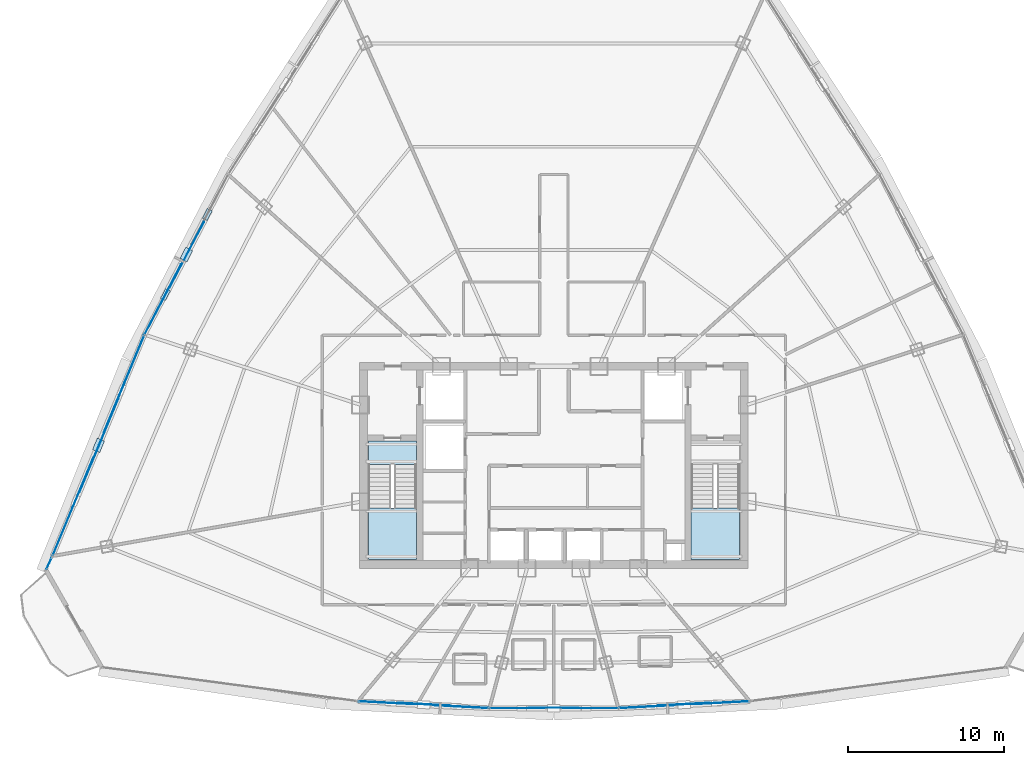
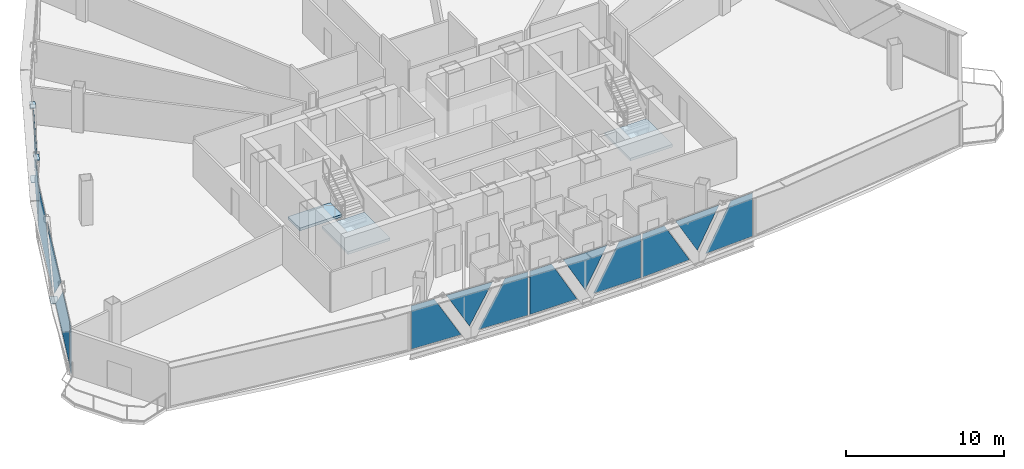
# One storey, part 28 of 37: 19 plates, 3 slabs, 8 elements without a shape of their own.
"""IFC4 building model written with IfcOpenShell, lengths in metres."""

from ifc_helpers import new_model, si_unit, direction, frame, origin, origin_2d, place, context, subcontext, project, spatial, polyline, rectangle, outline, extrude, source, transform, mapped, material, layer, layer_set, type_object, element, aggregate, save


model = new_model("IFC4")

# Units and contexts
model_context = context("Model", 3, precision=1e-05, world=origin(), true_north=direction((0.0, 1.0)))
body_context = subcontext(model_context, "Body", "Model", "MODEL_VIEW")
ifc_project = project(units=[si_unit("LENGTHUNIT", "METRE"), si_unit("AREAUNIT", "SQUARE_METRE"), si_unit("VOLUMEUNIT", "CUBIC_METRE"), si_unit("PLANEANGLEUNIT", "RADIAN"), si_unit("MASSUNIT", "GRAM", prefix="KILO"), si_unit("THERMODYNAMICTEMPERATUREUNIT", "KELVIN"), si_unit("POWERUNIT", "WATT")], contexts=[model_context])

# Site, building, storey
site_placement = place(None, origin())
site = spatial("IfcSite", under=ifc_project, at=site_placement, CompositionType="ELEMENT")
building_placement = place(site_placement, origin())
building = spatial("IfcBuilding", under=site, at=building_placement, Name="Yunzhuo Pagoda Commons", CompositionType="ELEMENT")
storey_placement = place(building_placement, frame((0.0, 0.0, 281.2900390625)))
storey = spatial("IfcBuildingStorey", under=building, at=storey_placement, Name="L70", CompositionType="ELEMENT", Elevation=281.2900390625)

# Curtain wall, plates
ifc_material_1 = material(Name="Anodized aluminium 6063-T6", Category="aluminium")
ifc_layer_1 = layer(ifc_material_1, 0.139892578125)
ifc_layer_set_1 = layer_set([ifc_layer_1], Name="Anodized aluminium 6063-T6")
curtain_wall_type = type_object("IfcCurtainWallType", Name="CW-HI High-Zone Ribbon Curtain Wall", PredefinedType="NOTDEFINED", material=ifc_layer_set_1)
curtain_wall_1_placement = place(storey_placement, origin())
curtain_wall_1 = element("IfcCurtainWall", 1, at=curtain_wall_1_placement, inside=storey, type_object=curtain_wall_type, Name="L70 curtain wall CW-L70-F1B2", PredefinedType="NOTDEFINED")
ifc_material_2 = material(Name="Tempered low-e double glazing", Category="glass")
ifc_layer_2 = layer(ifc_material_2, 0.02587890625)
ifc_layer_set_2 = layer_set([ifc_layer_2], Name="Tempered low-e double glazing")
plate_type_1 = type_object("IfcPlateType", Name="CW-HI-P Low-E Double Glazing 26", PredefinedType="CURTAIN_PANEL", material=ifc_layer_set_2)
plate_1_placement = place(storey_placement, frame((37.263916015625, 18.638427734375, 1.73486328125), z_axis=(-0.052821657014, -0.998603961814, 0.0), x_axis=(0.998603961814, -0.052821657014, 0.0)))
plate_1 = element("IfcPlate", 2, at=plate_1_placement, type_object=plate_type_1, Name="CW panel 1.1 lite 1", PredefinedType="CURTAIN_PANEL", context=body_context, shape_type="SweptSolid", body=[
    extrude(outline(polyline([(-1.774169921875, -1.679931640625), (1.774169921875, -1.679931640625), (-0.1279296875, 1.679931640625), (-1.774169921875, 1.679931640625), (-1.774169921875, -1.679931640625)])), origin(), (0.0, 0.0, 1.0), 0.028076171875),
])
plate_2_placement = place(storey_placement, frame((39.6513671875, 18.542236328125, 1.963134765625), z_axis=(-0.052821657014, -0.998603961814, 0.0), x_axis=(0.998603961814, -0.052821657014, 0.0)))
plate_2 = element("IfcPlate", 3, at=plate_2_placement, type_object=plate_type_1, Name="CW panel 1.1 lite 2", PredefinedType="CURTAIN_PANEL", context=body_context, shape_type="SweptSolid", body=[
    extrude(outline(polyline([(-1.64404296875, 1.451904296875), (0.0, -1.451904296875), (1.64404296875, 1.451904296875), (-1.64404296875, 1.451904296875)])), origin(), (0.0, 0.0, 1.0), 0.028076171875),
])
plate_3_placement = place(storey_placement, frame((42.035888671875, 18.385986328125, 1.73486328125), z_axis=(-0.052821657014, -0.998603961814, 0.0), x_axis=(0.998603961814, -0.052821657014, 0.0)))
plate_3 = element("IfcPlate", 4, at=plate_3_placement, type_object=plate_type_1, Name="CW panel 1.1 lite 3", PredefinedType="CURTAIN_PANEL", context=body_context, shape_type="SweptSolid", body=[
    extrude(outline(polyline([(-1.7744140625, -1.679931640625), (1.7744140625, -1.679931640625), (1.7744140625, 1.679931640625), (0.1279296875, 1.679931640625), (-1.7744140625, -1.679931640625)])), origin(), (0.0, 0.0, 1.0), 0.028076171875),
])
aggregate(curtain_wall_1, [plate_1, plate_2, plate_3])

curtain_wall_2_placement = place(storey_placement, origin())
curtain_wall_2 = element("IfcCurtainWall", 5, at=curtain_wall_2_placement, inside=storey, type_object=curtain_wall_type, Name="L70 curtain wall CW-L70-F1B3", PredefinedType="NOTDEFINED")
plate_4_placement = place(storey_placement, frame((45.658935546875, 18.2890625, 1.73486328125), z_axis=(0.0, -1.0, 0.0), x_axis=(1.0, 0.0, 0.0)))
plate_4 = element("IfcPlate", 6, at=plate_4_placement, type_object=plate_type_1, Name="CW panel 1.1 lite 1", PredefinedType="CURTAIN_PANEL", context=body_context, shape_type="SweptSolid", body=[
    extrude(outline(polyline([(-1.732177734375, -1.679931640625), (1.732177734375, -1.679931640625), (-0.12939453125, 1.679931640625), (-1.732177734375, 1.679931640625), (-1.732177734375, -1.679931640625)])), origin(), (0.0, 0.0, 1.0), 0.028076171875),
])
plate_5_placement = place(storey_placement, frame((48.0, 18.3193359375, 1.969482421875), z_axis=(0.0, -1.0, 0.0), x_axis=(1.0, 0.0, 0.0)))
plate_5 = element("IfcPlate", 7, at=plate_5_placement, type_object=plate_type_1, Name="CW panel 1.1 lite 2", PredefinedType="CURTAIN_PANEL", context=body_context, shape_type="SweptSolid", body=[
    extrude(outline(polyline([(-1.6015625, 1.4453125), (0.0, -1.4453125), (1.6015625, 1.4453125), (-1.6015625, 1.4453125)])), origin(), (0.0, 0.0, 1.0), 0.028076171875),
])
plate_6_placement = place(storey_placement, frame((50.341064453125, 18.2890625, 1.73486328125), z_axis=(0.0, -1.0, 0.0), x_axis=(1.0, 0.0, 0.0)))
plate_6 = element("IfcPlate", 8, at=plate_6_placement, type_object=plate_type_1, Name="CW panel 1.1 lite 3", PredefinedType="CURTAIN_PANEL", context=body_context, shape_type="SweptSolid", body=[
    extrude(outline(polyline([(-1.732177734375, -1.679931640625), (1.732177734375, -1.679931640625), (1.732177734375, 1.679931640625), (0.12939453125, 1.679931640625), (-1.732177734375, -1.679931640625)])), origin(), (0.0, 0.0, 1.0), 0.028076171875),
])
aggregate(curtain_wall_2, [plate_4, plate_5, plate_6])

curtain_wall_3_placement = place(storey_placement, origin())
curtain_wall_3 = element("IfcCurtainWall", 9, at=curtain_wall_3_placement, inside=storey, type_object=curtain_wall_type, Name="L70 curtain wall CW-L70-F1B4", PredefinedType="NOTDEFINED")
plate_7_placement = place(storey_placement, frame((53.964111328125, 18.385986328125, 1.73486328125), z_axis=(0.052821657014, -0.998603961814, 0.0), x_axis=(0.998603961814, 0.052821657014, 0.0)))
plate_7 = element("IfcPlate", 10, at=plate_7_placement, type_object=plate_type_1, Name="CW panel 1.1 lite 1", PredefinedType="CURTAIN_PANEL", context=body_context, shape_type="SweptSolid", body=[
    extrude(outline(polyline([(-1.7744140625, -1.679931640625), (1.7744140625, -1.679931640625), (-0.1279296875, 1.679931640625), (-1.7744140625, 1.679931640625), (-1.7744140625, -1.679931640625)])), origin(), (0.0, 0.0, 1.0), 0.028076171875),
])
plate_8_placement = place(storey_placement, frame((56.3486328125, 18.542236328125, 1.963134765625), z_axis=(0.052821657014, -0.998603961814, 0.0), x_axis=(0.998603961814, 0.052821657014, 0.0)))
plate_8 = element("IfcPlate", 11, at=plate_8_placement, type_object=plate_type_1, Name="CW panel 1.1 lite 2", PredefinedType="CURTAIN_PANEL", context=body_context, shape_type="SweptSolid", body=[
    extrude(outline(polyline([(-1.64404296875, 1.451904296875), (0.0, -1.451904296875), (1.64404296875, 1.451904296875), (-1.64404296875, 1.451904296875)])), origin(), (0.0, 0.0, 1.0), 0.028076171875),
])
plate_9_placement = place(storey_placement, frame((58.736083984375, 18.638427734375, 1.73486328125), z_axis=(0.052821657014, -0.998603961814, 0.0), x_axis=(0.998603961814, 0.052821657014, 0.0)))
plate_9 = element("IfcPlate", 12, at=plate_9_placement, type_object=plate_type_1, Name="CW panel 1.1 lite 3", PredefinedType="CURTAIN_PANEL", context=body_context, shape_type="SweptSolid", body=[
    extrude(outline(polyline([(-1.774169921875, -1.679931640625), (1.774169921875, -1.679931640625), (1.774169921875, 1.679931640625), (0.1279296875, 1.679931640625), (-1.774169921875, -1.679931640625)])), origin(), (0.0, 0.0, 1.0), 0.028076171875),
])
aggregate(curtain_wall_3, [plate_7, plate_8, plate_9])

curtain_wall_4_placement = place(storey_placement, origin())
curtain_wall_4 = element("IfcCurtainWall", 13, at=curtain_wall_4_placement, inside=storey, type_object=curtain_wall_type, Name="L70 curtain wall CW-L70-F3B3", PredefinedType="NOTDEFINED")
plate_10_placement = place(storey_placement, frame((24.4736328125, 47.34521484375, 1.88720703125), z_axis=(-0.886404488049, 0.462911528876, 0.0), x_axis=(-0.462911528876, -0.886404488049, 0.0)))
plate_10 = element("IfcPlate", 14, at=plate_10_placement, type_object=plate_type_1, Name="CW panel 1.1 lite 2", PredefinedType="CURTAIN_PANEL", context=body_context, shape_type="SweptSolid", body=[
    extrude(outline(polyline([(-2.373779296875, 1.52783203125), (0.0, -1.52783203125), (2.373779296875, 1.52783203125), (-2.373779296875, 1.52783203125)])), origin(), (0.0, 0.0, 1.0), 0.028076171875),
])
plate_11_placement = place(storey_placement, frame((22.951416015625, 44.495361328125, 1.73486328125), z_axis=(-0.886404488049, 0.462911528876, 0.0), x_axis=(-0.462911528876, -0.886404488049, 0.0)))
plate_11 = element("IfcPlate", 15, at=plate_11_placement, type_object=plate_type_1, Name="CW panel 1.1 lite 3", PredefinedType="CURTAIN_PANEL", context=body_context, shape_type="SweptSolid", body=[
    extrude(outline(polyline([(-2.5048828125, -1.679931640625), (2.5048828125, -1.679931640625), (2.5048828125, 1.679931640625), (0.10546875, 1.679931640625), (-2.5048828125, -1.679931640625)])), origin(), (0.0, 0.0, 1.0), 0.028076171875),
])
aggregate(curtain_wall_4, [plate_10, plate_11])

curtain_wall_5_placement = place(storey_placement, origin())
curtain_wall_5 = element("IfcCurtainWall", 16, at=curtain_wall_5_placement, inside=storey, type_object=curtain_wall_type, Name="L70 curtain wall CW-L70-F3B4", PredefinedType="NOTDEFINED")
plate_12_placement = place(storey_placement, frame((20.444580078125, 39.0478515625, 1.73486328125), z_axis=(-0.923393531316, 0.383854642182, 0.0), x_axis=(-0.383854642182, -0.923393531316, 0.0)))
plate_12 = element("IfcPlate", 17, at=plate_12_placement, type_object=plate_type_1, Name="CW panel 1.1 lite 1", PredefinedType="CURTAIN_PANEL", context=body_context, shape_type="SweptSolid", body=[
    extrude(outline(polyline([(-3.37890625, -1.679931640625), (3.378662109375, -1.679931640625), (-0.083740234375, 1.679931640625), (-3.37890625, 1.679931640625), (-3.37890625, -1.679931640625)])), origin(), (0.0, 0.0, 1.0), 0.028076171875),
])
plate_13_placement = place(storey_placement, frame((18.841552734375, 35.113037109375, 1.842041015625), z_axis=(-0.923393531316, 0.383854642182, 0.0), x_axis=(-0.383854642182, -0.923393531316, 0.0)))
plate_13 = element("IfcPlate", 18, at=plate_13_placement, type_object=plate_type_1, Name="CW panel 1.1 lite 2", PredefinedType="CURTAIN_PANEL", context=body_context, shape_type="SweptSolid", body=[
    extrude(outline(polyline([(-3.241455078125, 1.57275390625), (0.0, -1.57275390625), (3.241455078125, 1.57275390625), (-3.241455078125, 1.57275390625)])), origin(), (0.0, 0.0, 1.0), 0.028076171875),
])
plate_14_placement = place(storey_placement, frame((17.182861328125, 31.200927734375, 1.73486328125), z_axis=(-0.923393531316, 0.383854642182, 0.0), x_axis=(-0.383854642182, -0.923393531316, 0.0)))
plate_14 = element("IfcPlate", 19, at=plate_14_placement, type_object=plate_type_1, Name="CW panel 1.1 lite 3", PredefinedType="CURTAIN_PANEL", context=body_context, shape_type="SweptSolid", body=[
    extrude(outline(polyline([(-3.378662109375, -1.679931640625), (3.378662109375, -1.679931640625), (3.378662109375, 1.679931640625), (0.083740234375, 1.679931640625), (-3.378662109375, -1.679931640625)])), origin(), (0.0, 0.0, 1.0), 0.028076171875),
])
aggregate(curtain_wall_5, [plate_12, plate_13, plate_14])

# Stair, slabs
ifc_material_3 = material(Name="Concrete C40", Category="concrete")
stair_type_1 = type_object("IfcStairType", Name="ST-C1 Core Smokeproof Stair ST1", PredefinedType="HALF_TURN_STAIR", material=ifc_material_3)
stair_1_placement = place(storey_placement, origin())
stair_1 = element("IfcStair", 20, at=stair_1_placement, inside=storey, type_object=stair_type_1, Name="L70 Core smokeproof stair ST1", PredefinedType="HALF_TURN_STAIR")
ifc_layer_3 = layer(ifc_material_3, 0.199951171875)
ifc_layer_set_3 = layer_set([ifc_layer_3], Name="Concrete C40")
slab_type_1 = type_object("IfcSlabType", Name="SL-LND1 Stair Landing Slab 200", PredefinedType="LANDING", material=ifc_layer_set_3)
slab_1_placement = place(storey_placement, frame((0.0, 0.0, 1.6650390625)))
slab_1 = element("IfcSlab", 21, at=slab_1_placement, type_object=slab_type_1, Name="ST1 landing 1", PredefinedType="LANDING", context=body_context, shape_type="SweptSolid", body=[
    extrude(outline(polyline([(36.10009765625, 31.10009765625), (36.10009765625, 27.800048828125), (39.199951171875, 27.800048828125), (39.199951171875, 31.10009765625), (36.10009765625, 31.10009765625)])), origin(), (0.0, 0.0, 1.0), 0.199951171875),
])
slab_2_placement = place(storey_placement, frame((0.0, 0.0, -0.199951171875)))
slab_2 = element("IfcSlab", 22, at=slab_2_placement, type_object=slab_type_1, Name="ST1 floor landing L70", PredefinedType="LANDING", context=body_context, shape_type="SweptSolid", body=[
    extrude(outline(polyline([(36.10009765625, 35.39990234375), (36.10009765625, 33.89990234375), (39.199951171875, 33.89990234375), (39.199951171875, 35.39990234375), (36.10009765625, 35.39990234375)])), origin(), (0.0, 0.0, 1.0), 0.199951171875),
])
aggregate(stair_1, [slab_1, slab_2])

# Stair, slab
stair_type_2 = type_object("IfcStairType", Name="ST-C2 Core Smokeproof Stair ST2", PredefinedType="HALF_TURN_STAIR", material=ifc_material_3)
stair_2_placement = place(storey_placement, origin())
stair_2 = element("IfcStair", 23, at=stair_2_placement, inside=storey, type_object=stair_type_2, Name="L70 Core smokeproof stair ST2", PredefinedType="HALF_TURN_STAIR")
ifc_layer_4 = layer(ifc_material_3, 0.201904296875)
ifc_layer_set_4 = layer_set([ifc_layer_4], Name="Concrete C40")
slab_type_2 = type_object("IfcSlabType", Name="SL-LND2 Stair Landing Slab 202", PredefinedType="LANDING", material=ifc_layer_set_4)
slab_3_placement = place(storey_placement, frame((0.0, 0.0, 1.6650390625)))
slab_3 = element("IfcSlab", 24, at=slab_3_placement, type_object=slab_type_2, Name="ST2 landing 1", PredefinedType="LANDING", context=body_context, shape_type="SweptSolid", body=[
    extrude(outline(polyline([(56.800048828125, 31.10009765625), (56.800048828125, 27.800048828125), (59.89990234375, 27.800048828125), (59.89990234375, 31.10009765625), (56.800048828125, 31.10009765625)])), origin(), (0.0, 0.0, 1.0), 0.199951171875),
])
aggregate(stair_2, [slab_3])

# Plates
ifc_material_4 = material(Name="Structural steel Q355B", Category="steel")
ifc_layer_5 = layer(ifc_material_4, 0.028076171875)
ifc_layer_set_5 = layer_set([ifc_layer_5], Name="Structural steel Q355B")
plate_type_2 = type_object("IfcPlateType", Name="SP-ND1 Lattice Node Cap Plate 800x500x28", PredefinedType="USERDEFINED", material=ifc_layer_set_5)
shared_shape_1 = source(origin(), body_context, "Body", "SweptSolid", [
    extrude(rectangle(XDim=0.800048828125, YDim=0.5, at=origin_2d()), origin(), (0.0, 0.0, 1.0), 0.028076171875),
])
for number, where, z_axis, x_axis, name in (
    (25, (24.4345703125, 47.36572265625, -0.27392578125), (0.0, 0.0, 1.0), (-0.462909311772, -0.886405645895, 0.0), "L70 diamond node plate F3.2A"),
    (26, (18.80078125, 35.1298828125, -0.27392578125), (0.0, 0.0, 1.0), (-0.383860227441, -0.923391209504, 0.0), "L70 diamond node plate F3.3A"),
):
    element("IfcPlate", number, at=place(storey_placement, frame(where, z_axis=z_axis, x_axis=x_axis)), inside=storey, type_object=plate_type_2, Name=name, ObjectType="STIFFENER_PLATE", PredefinedType="USERDEFINED", context=body_context, shape_type="MappedRepresentation", body=[
        mapped(shared_shape_1, transform((0.0, 0.0, 0.0), scale=1.0)),
    ])
shared_shape_2 = source(origin(), body_context, "Body", "SweptSolid", [
    extrude(rectangle(XDim=0.699951171875, YDim=0.35009765625, at=origin_2d()), origin(), (0.0, 0.0, 1.0), 0.035888671875),
])
for number, where, z_axis, x_axis, name in (
    (27, (25.77587890625, 49.934326171875, 3.43212890625), (0.0, 0.0, 1.0), (-0.462909311772, -0.886405645895, 0.0), "L70 setback lattice tie plate F3.2L"),
    (28, (23.093017578125, 44.797119140625, 3.43212890625), (0.0, 0.0, 1.0), (-0.462909311772, -0.886405645895, 0.0), "L70 setback lattice tie plate F3.2R"),
):
    element("IfcPlate", number, at=place(storey_placement, frame(where, z_axis=z_axis, x_axis=x_axis)), inside=storey, type_object=plate_type_2, Name=name, ObjectType="STIFFENER_PLATE", PredefinedType="USERDEFINED", context=body_context, shape_type="MappedRepresentation", body=[
        mapped(shared_shape_2, transform((0.0, 0.0, 0.0), scale=1.0)),
    ])

# Curtain wall, plate
curtain_wall_6_placement = place(storey_placement, origin())
curtain_wall_6 = element("IfcCurtainWall", 29, at=curtain_wall_6_placement, inside=storey, type_object=curtain_wall_type, Name="L70 curtain wall CW-L70-F3B5", PredefinedType="NOTDEFINED")
shared_shape_3 = source(origin(), body_context, "Body", "SweptSolid", [
    extrude(rectangle(XDim=0.802734375, YDim=0.028076171875, at=origin_2d()), origin(), (0.0, 0.0, 1.0), 3.360107421875),
])
plate_15_placement = place(storey_placement, frame((15.623779296875, 27.544677734375, 0.0546875), z_axis=(0.0, 0.0, 1.0), x_axis=(-0.421407442389, -0.906871417291, 0.0)))
plate_15 = element("IfcPlate", 30, at=plate_15_placement, type_object=plate_type_1, Name="CW panel 1.1", PredefinedType="CURTAIN_PANEL", context=body_context, shape_type="MappedRepresentation", body=[
    mapped(shared_shape_3, transform((0.0, 0.0, 0.0), scale=1.0)),
])
aggregate(curtain_wall_6, [plate_15])

save(model, "model.ifc")
